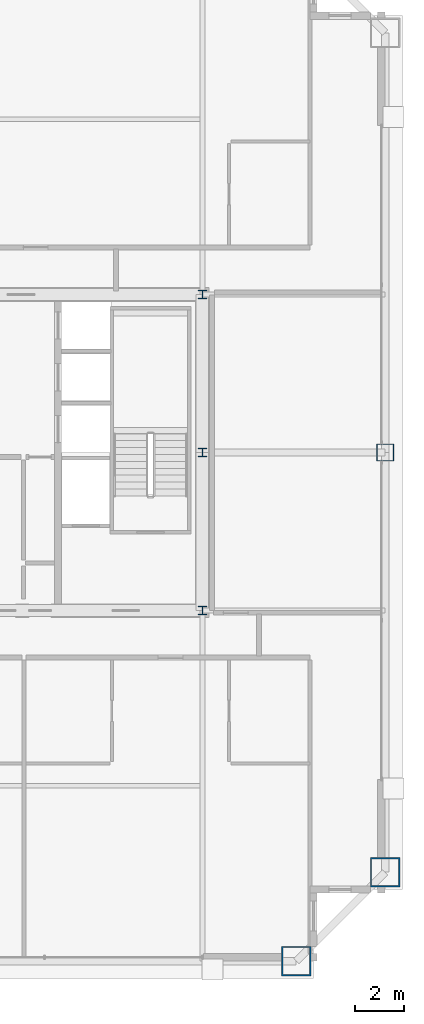
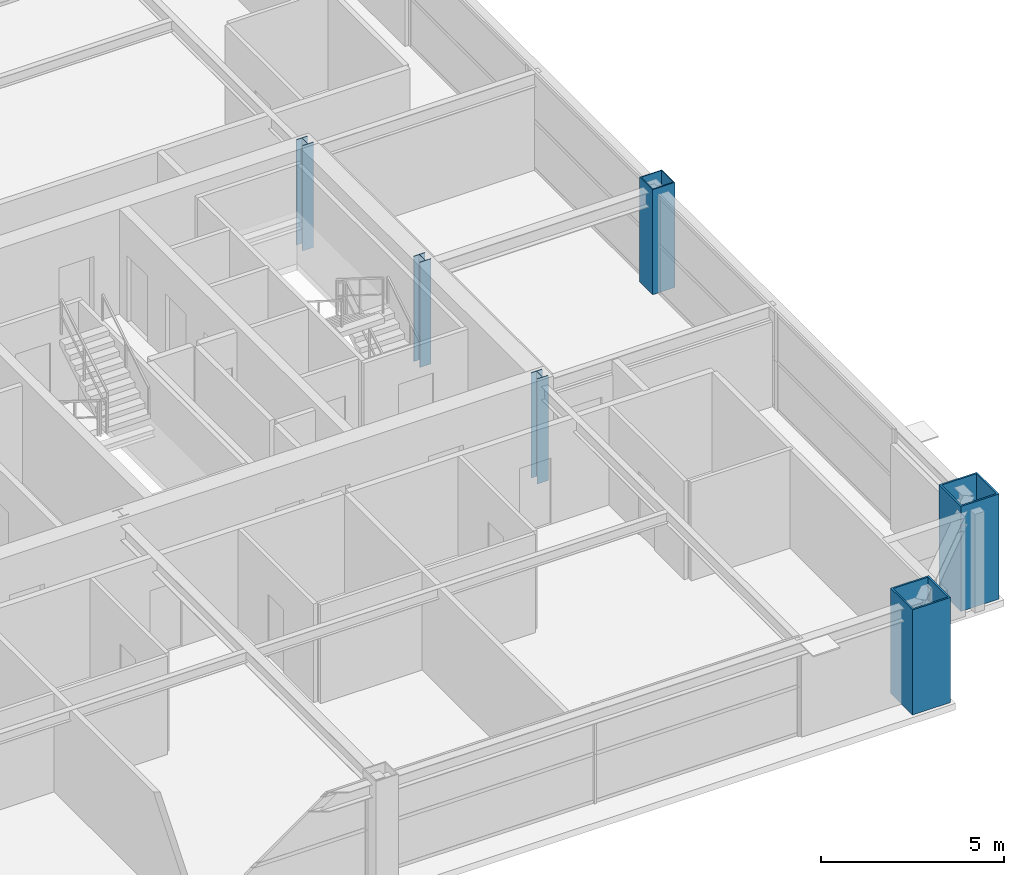
# One storey, part 2 of 37: 6 columns.
"""IFC4 building model written with IfcOpenShell, lengths in metres."""

from ifc_helpers import new_model, si_unit, direction, frame, origin, origin_2d, place, context, subcontext, project, spatial, hollow_rectangle, i_section, extrude, source, transform, mapped, material, material_profile, profile_set, type_object, element, save


model = new_model("IFC4")

# Units and contexts
model_context = context("Model", 3, precision=1e-05, world=origin(), true_north=direction((0.0, 1.0)))
body_context = subcontext(model_context, "Body", "Model", "MODEL_VIEW")
ifc_project = project(units=[si_unit("LENGTHUNIT", "METRE"), si_unit("AREAUNIT", "SQUARE_METRE"), si_unit("VOLUMEUNIT", "CUBIC_METRE"), si_unit("PLANEANGLEUNIT", "RADIAN"), si_unit("MASSUNIT", "GRAM", prefix="KILO"), si_unit("THERMODYNAMICTEMPERATUREUNIT", "KELVIN"), si_unit("POWERUNIT", "WATT")], contexts=[model_context])

# Site, building, storey
site_placement = place(None, origin())
site = spatial("IfcSite", under=ifc_project, at=site_placement, CompositionType="ELEMENT")
building_placement = place(site_placement, origin())
building = spatial("IfcBuilding", under=site, at=building_placement, Name="Yuzanri Waterfront Tower", CompositionType="ELEMENT")
storey_placement = place(building_placement, frame((0.0, 0.0, 275.10009765625)))
storey = spatial("IfcBuildingStorey", under=building, at=storey_placement, Name="L73", CompositionType="ELEMENT", Elevation=275.10009765625)

# Columns
ifc_material_1 = material(Name="Steel Q390GJC", Category="steel")
ifc_material_profile_1 = material_profile(ifc_material_1, hollow_rectangle(XDim=1.199951171875, YDim=1.199951171875, WallThickness=0.054931640625, at=origin_2d()), Name="RHS 1200x1200x55")
ifc_profile_set_1 = profile_set([ifc_material_profile_1], Name="Steel Q390GJC")
column_type_1 = type_object("IfcColumnType", Name="Mega Column Q390GJC RHS 1200x1200x55", PredefinedType="COLUMN", material=ifc_profile_set_1)
shared_shape_1 = source(origin(), body_context, "Body", "SweptSolid", [
    extrude(hollow_rectangle(XDim=1.199951171875, YDim=1.199951171875, WallThickness=0.054931640625, at=origin_2d()), origin(), (0.0, 0.0, 1.0), 3.5),
])
for number, where, z_axis, x_axis, name in (
    (1, (54.0, 5.199951171875, 0.0), (0.0, 0.0, 1.0), (1.0, 0.0, 0.0), "L73 Perimeter Mega Column S3"),
    (2, (57.60009765625, 8.800048828125, 0.0), (0.0, 0.0, 1.0), (1.0, 0.0, 0.0), "L73 Perimeter Mega Column E1"),
):
    element("IfcColumn", number, at=place(storey_placement, frame(where, z_axis=z_axis, x_axis=x_axis)), inside=storey, type_object=column_type_1, Name=name, PredefinedType="COLUMN", context=body_context, shape_type="MappedRepresentation", body=[
        mapped(shared_shape_1, transform((0.0, 0.0, 0.0), scale=1.0)),
    ])
ifc_material_2 = material(Name="Steel Q355B", Category="steel")
ifc_material_profile_2 = material_profile(ifc_material_2, hollow_rectangle(XDim=0.699951171875, YDim=0.699951171875, WallThickness=0.031982421875, at=origin_2d()), Name="RHS 700x700x32")
ifc_profile_set_2 = profile_set([ifc_material_profile_2], Name="Steel Q355B")
column_type_2 = type_object("IfcColumnType", Name="Frame Column Q355B RHS 700x700x32", PredefinedType="COLUMN", material=ifc_profile_set_2)
shared_shape_2 = source(origin(), body_context, "Body", "SweptSolid", [
    extrude(hollow_rectangle(XDim=0.699951171875, YDim=0.699951171875, WallThickness=0.031982421875, at=origin_2d()), origin(), (0.0, 0.0, 1.0), 3.5),
])
column_placement = place(storey_placement, frame((57.60009765625, 25.800048828125, 0.0), z_axis=(0.0, 0.0, 1.0), x_axis=(1.0, 0.0, 0.0)))
element("IfcColumn", 3, at=column_placement, inside=storey, type_object=column_type_2, Name="L73 Perimeter Frame Column E2", PredefinedType="COLUMN", context=body_context, shape_type="MappedRepresentation", body=[
    mapped(shared_shape_2, transform((0.0, 0.0, 0.0), scale=1.0)),
])
ifc_material_3 = material(Name="Steel Q355B", Category="steel")
ifc_material_profile_3 = material_profile(ifc_material_3, i_section(OverallWidth=0.35009765625, OverallDepth=0.35009765625, WebThickness=0.011962890625, FlangeThickness=0.01904296875, at=origin_2d()), Name="HW 350x350x12x19")
ifc_profile_set_3 = profile_set([ifc_material_profile_3], Name="Steel Q355B")
column_type_3 = type_object("IfcColumnType", Name="Core Post Q355B HW 350x350x12x19", PredefinedType="COLUMN", material=ifc_profile_set_3)
shared_shape_3 = source(origin(), body_context, "Body", "SweptSolid", [
    extrude(i_section(OverallWidth=0.35009765625, OverallDepth=0.35009765625, WebThickness=0.011962890625, FlangeThickness=0.01904296875, at=origin_2d()), origin(), (0.0, 0.0, 1.0), 3.5),
])
for number, where, z_axis, x_axis, name in (
    (4, (50.199951171875, 19.39990234375, 0.0), (0.0, 0.0, 1.0), (1.0, 0.0, 0.0), "L73 Core Boundary Column CP3"),
    (5, (50.199951171875, 25.800048828125, 0.0), (0.0, 0.0, 1.0), (1.0, 0.0, 0.0), "L73 Core Boundary Column CP5"),
    (6, (50.199951171875, 32.199951171875, 0.0), (0.0, 0.0, 1.0), (1.0, 0.0, 0.0), "L73 Core Boundary Column CP8"),
):
    element("IfcColumn", number, at=place(storey_placement, frame(where, z_axis=z_axis, x_axis=x_axis)), inside=storey, type_object=column_type_3, Name=name, PredefinedType="COLUMN", context=body_context, shape_type="MappedRepresentation", body=[
        mapped(shared_shape_3, transform((0.0, 0.0, 0.0), scale=1.0)),
    ])

save(model, "model.ifc")
